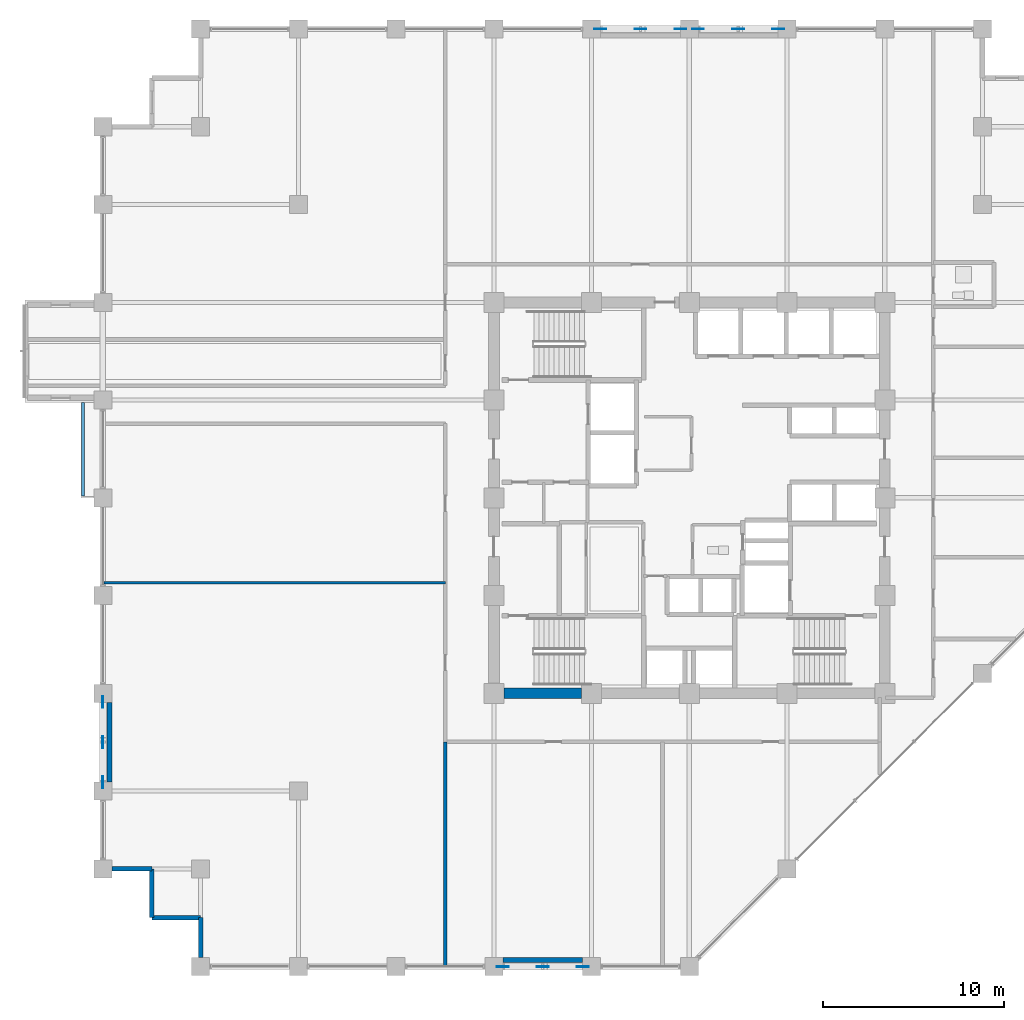
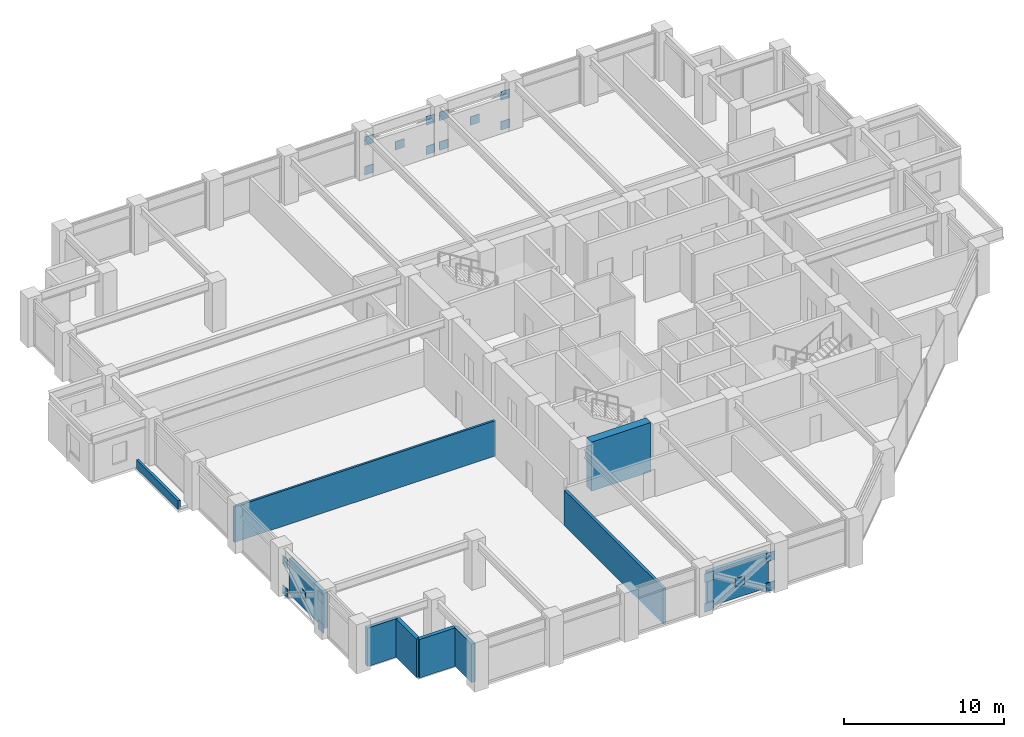
# One storey, part 21 of 29: 20 plates, 10 walls.
"""IFC4 building model written with IfcOpenShell, lengths in metres."""

from ifc_helpers import new_model, si_unit, direction, frame, frame_2d, origin, origin_2d, place, context, subcontext, project, spatial, rectangle, extrude, material, layer, layer_set, type_object, element, save


model = new_model("IFC4")

# Units and contexts
model_context = context("Model", 3, precision=1e-05, world=origin(), true_north=direction((0.0, 1.0)))
body_context = subcontext(model_context, "Body", "Model", "MODEL_VIEW")
ifc_project = project(units=[si_unit("LENGTHUNIT", "METRE"), si_unit("AREAUNIT", "SQUARE_METRE"), si_unit("VOLUMEUNIT", "CUBIC_METRE"), si_unit("PLANEANGLEUNIT", "RADIAN"), si_unit("MASSUNIT", "GRAM", prefix="KILO")], contexts=[model_context])

# Site, building, storey
site_placement = place(None, origin())
site = spatial("IfcSite", under=ifc_project, at=site_placement, CompositionType="ELEMENT")
building_placement = place(site_placement, origin())
building = spatial("IfcBuilding", under=site, at=building_placement, Name="Surkhivell Harbour Commons", CompositionType="ELEMENT")
storey_placement = place(building_placement, frame((0.0, 0.0, 150.75)))
storey = spatial("IfcBuildingStorey", under=building, at=storey_placement, Name="L39", CompositionType="ELEMENT", Elevation=150.75)

# Plates
ifc_material_1 = material(Name="Steel S460", Category="steel")
ifc_layer_1 = layer(ifc_material_1, 0.044921875)
ifc_layer_set_1 = layer_set([ifc_layer_1], Name="Steel S460")
plate_type = type_object("IfcPlateType", Name="PLT-GUS-650", PredefinedType="USERDEFINED", material=ifc_layer_set_1)
for number, where, z_axis, x_axis, name in (
    (1, (-4.9150390625, 25.89990234375, -0.08935546875), (0.0, 0.0, 1.0), (1.0, 0.0, 0.0), "L39 Perimeter Mega-Brace MB- Corner Gusset N-1"),
    (2, (-0.485107421875, 25.89990234375, -0.08935546875), (0.0, 0.0, 1.0), (1.0, 0.0, 0.0), "L39 Perimeter Mega-Brace MB- Corner Gusset N-2"),
    (3, (-4.9150390625, 25.89990234375, 2.170654296875), (0.0, 0.0, 1.0), (1.0, 0.0, 0.0), "L39 Perimeter Mega-Brace MB- Corner Gusset N-3"),
    (4, (-0.485107421875, 25.89990234375, 2.170654296875), (0.0, 0.0, 1.0), (1.0, 0.0, 0.0), "L39 Perimeter Mega-Brace MB- Corner Gusset N-4"),
    (5, (-2.699951171875, 25.89990234375, 1.04052734375), (0.0, 0.0, 1.0), (1.0, 0.0, 0.0), "L39 Perimeter Mega-Brace MB- Central Crossing Gusset N"),
    (6, (0.485107421875, 25.89990234375, -0.08935546875), (0.0, 0.0, 1.0), (1.0, 0.0, 0.0), "L39 Perimeter Mega-Brace MB- Corner Gusset N2-1"),
    (7, (4.9150390625, 25.89990234375, -0.08935546875), (0.0, 0.0, 1.0), (1.0, 0.0, 0.0), "L39 Perimeter Mega-Brace MB- Corner Gusset N2-2"),
    (8, (0.485107421875, 25.89990234375, 2.170654296875), (0.0, 0.0, 1.0), (1.0, 0.0, 0.0), "L39 Perimeter Mega-Brace MB- Corner Gusset N2-3"),
    (9, (4.9150390625, 25.89990234375, 2.170654296875), (0.0, 0.0, 1.0), (1.0, 0.0, 0.0), "L39 Perimeter Mega-Brace MB- Corner Gusset N2-4"),
    (10, (2.699951171875, 25.89990234375, 1.04052734375), (0.0, 0.0, 1.0), (1.0, 0.0, 0.0), "L39 Perimeter Mega-Brace MB- Central Crossing Gusset N2"),
    (11, (-10.31494140625, -25.89990234375, -0.08935546875), (0.0, 0.0, 1.0), (1.0, 0.0, 0.0), "L39 Perimeter Mega-Brace MB- Corner Gusset S-1"),
    (12, (-5.885009765625, -25.89990234375, -0.08935546875), (0.0, 0.0, 1.0), (1.0, 0.0, 0.0), "L39 Perimeter Mega-Brace MB- Corner Gusset S-2"),
    (13, (-10.31494140625, -25.89990234375, 2.170654296875), (0.0, 0.0, 1.0), (1.0, 0.0, 0.0), "L39 Perimeter Mega-Brace MB- Corner Gusset S-3"),
    (14, (-5.885009765625, -25.89990234375, 2.170654296875), (0.0, 0.0, 1.0), (1.0, 0.0, 0.0), "L39 Perimeter Mega-Brace MB- Corner Gusset S-4"),
    (15, (-8.10009765625, -25.89990234375, 1.04052734375), (0.0, 0.0, 1.0), (1.0, 0.0, 0.0), "L39 Perimeter Mega-Brace MB- Central Crossing Gusset S"),
    (16, (-32.39990234375, -15.715087890625, -0.08935546875), (0.0, 0.0, 1.0), (0.0, 1.0, 0.0), "L39 Perimeter Mega-Brace MB- Corner Gusset W-1"),
    (17, (-32.39990234375, -11.284912109375, -0.08935546875), (0.0, 0.0, 1.0), (0.0, 1.0, 0.0), "L39 Perimeter Mega-Brace MB- Corner Gusset W-2"),
    (18, (-32.39990234375, -15.715087890625, 2.170654296875), (0.0, 0.0, 1.0), (0.0, 1.0, 0.0), "L39 Perimeter Mega-Brace MB- Corner Gusset W-3"),
    (19, (-32.39990234375, -11.284912109375, 2.170654296875), (0.0, 0.0, 1.0), (0.0, 1.0, 0.0), "L39 Perimeter Mega-Brace MB- Corner Gusset W-4"),
    (20, (-32.39990234375, -13.5, 1.04052734375), (0.0, 0.0, 1.0), (0.0, 1.0, 0.0), "L39 Perimeter Mega-Brace MB- Central Crossing Gusset W"),
):
    element("IfcPlate", number, at=place(storey_placement, frame(where, z_axis=z_axis, x_axis=x_axis)), inside=storey, type_object=plate_type, Name=name, ObjectType="GUSSET_PLATE", PredefinedType="USERDEFINED", context=body_context, shape_type="SweptSolid", body=[
        extrude(rectangle(XDim=0.64990234375, YDim=0.044921875, at=origin_2d()), origin(), (0.0, 0.0, 1.0), 0.64990234375),
    ])

# Walls
ifc_material_2 = material(Name="Concrete C60/75", Category="concrete")
ifc_layer_2 = layer(ifc_material_2, 0.60009765625)
ifc_layer_set_2 = layer_set([ifc_layer_2], Name="Concrete C60/75")
wall_type_1 = type_object("IfcWallType", Name="WAL-CORE-600", PredefinedType="SHEAR", material=ifc_layer_set_2)
wall_1_placement = place(storey_placement, frame((-10.239990234375, -10.800048828125, 0.0), z_axis=(0.0, 0.0, 1.0), x_axis=(1.0, 0.0, 0.0)))
element("IfcWall", 21, at=wall_1_placement, inside=storey, type_object=wall_type_1, Name="L39 Core Shear Wall South 1", PredefinedType="SHEAR", context=body_context, shape_type="SweptSolid", body=[
    extrude(rectangle(XDim=4.280029296875, YDim=0.60009765625, at=frame_2d((2.14013671875, 0.0))), origin(), (0.0, 0.0, 1.0), 3.75),
])
ifc_material_3 = material(Name="Pale-metal insulated precast concrete C45/55", Category="concrete")
ifc_layer_3 = layer(ifc_material_3, 0.260009765625)
ifc_layer_set_3 = layer_set([ifc_layer_3], Name="Pale-metal insulated precast concrete C45/55")
wall_type_2 = type_object("IfcWallType", Name="WAL-EXT-MTL260", PredefinedType="STANDARD", material=ifc_layer_set_3)
wall_2_placement = place(storey_placement, frame((-10.302001953125, -25.5400390625, 0.0), z_axis=(0.0, 0.0, 1.0), x_axis=(1.0, 0.0, 0.0)))
element("IfcWall", 22, at=wall_2_placement, inside=storey, type_object=wall_type_2, Name="L39 Braced-Bay Insulated Spandrel Backing S", PredefinedType="STANDARD", context=body_context, shape_type="SweptSolid", body=[
    extrude(rectangle(XDim=4.404052734375, YDim=0.260009765625, at=frame_2d((2.2021484375, 0.0))), origin(), (0.0, 0.0, 1.0), 2.698974609375),
])
wall_3_placement = place(storey_placement, frame((-32.0400390625, -15.701904296875, 0.0), z_axis=(0.0, 0.0, 1.0), x_axis=(0.0, 1.0, 0.0)))
element("IfcWall", 23, at=wall_3_placement, inside=storey, type_object=wall_type_2, Name="L39 Braced-Bay Insulated Spandrel Backing W", PredefinedType="STANDARD", context=body_context, shape_type="SweptSolid", body=[
    extrude(rectangle(XDim=4.40380859375, YDim=0.260009765625, at=frame_2d((2.201904296875, 0.0))), origin(), (0.0, 0.0, 1.0), 2.698974609375),
])
wall_4_placement = place(storey_placement, frame((-31.902099609375, -20.5, 0.0), z_axis=(0.0, 0.0, 1.0), x_axis=(1.0, 0.0, 0.0)))
element("IfcWall", 24, at=wall_4_placement, inside=storey, type_object=wall_type_2, Name="L39 Serrated Corner Facade Wall 13", PredefinedType="STANDARD", context=body_context, shape_type="SweptSolid", body=[
    extrude(rectangle(XDim=2.2021484375, YDim=0.260009765625, at=frame_2d((1.10107421875, 0.0))), origin(), (0.0, 0.0, 1.0), 2.93310546875),
])
for number, where, z_axis, x_axis, name in (
    (25, (-29.699951171875, -20.5, 0.0), (0.0, 0.0, 1.0), (0.0, -1.0, 0.0), "L39 Serrated Corner Facade Wall 14"),
    (26, (-29.699951171875, -23.199951171875, 0.0), (0.0, 0.0, 1.0), (1.0, 0.0, 0.0), "L39 Serrated Corner Facade Wall 15"),
):
    element("IfcWall", number, at=place(storey_placement, frame(where, z_axis=z_axis, x_axis=x_axis)), inside=storey, type_object=wall_type_2, Name=name, PredefinedType="STANDARD", context=body_context, shape_type="SweptSolid", body=[
        extrude(rectangle(XDim=2.699951171875, YDim=0.260009765625, at=frame_2d((1.35009765625, 0.0))), origin(), (0.0, 0.0, 1.0), 2.93310546875),
    ])
wall_5_placement = place(storey_placement, frame((-27.0, -23.199951171875, 0.0), z_axis=(0.0, 0.0, 1.0), x_axis=(0.0, -1.0, 0.0)))
element("IfcWall", 27, at=wall_5_placement, inside=storey, type_object=wall_type_2, Name="L39 Serrated Corner Facade Wall 16", PredefinedType="STANDARD", context=body_context, shape_type="SweptSolid", body=[
    extrude(rectangle(XDim=2.2021484375, YDim=0.260009765625, at=frame_2d((1.10107421875, 0.0))), origin(), (0.0, 0.0, 1.0), 2.93310546875),
])
ifc_material_4 = material(Name="Twin-stud acoustic fireboard partition", Category="other")
ifc_layer_4 = layer(ifc_material_4, 0.14990234375)
ifc_layer_set_4 = layer_set([ifc_layer_4], Name="Twin-stud acoustic fireboard partition")
wall_type_3 = type_object("IfcWallType", Name="WAL-INT-150", PredefinedType="PARTITIONING", material=ifc_layer_set_4)
wall_6_placement = place(storey_placement, frame((-32.340087890625, -4.68994140625, 0.0), z_axis=(0.0, 0.0, 1.0), x_axis=(1.0, 0.0, 0.0)))
element("IfcWall", 28, at=wall_6_placement, inside=storey, type_object=wall_type_3, Name="L39 South-West Partition P1", PredefinedType="PARTITIONING", context=body_context, shape_type="SweptSolid", body=[
    extrude(rectangle(XDim=18.860107421875, YDim=0.14990234375, at=frame_2d((9.43017578125, 0.0))), origin(), (0.0, 0.0, 1.0), 2.698974609375),
])
ifc_material_5 = material(Name="Autoclaved aerated concrete blockwork and fire plaster", Category="masonry")
ifc_layer_5 = layer(ifc_material_5, 0.199951171875)
ifc_layer_set_5 = layer_set([ifc_layer_5], Name="Autoclaved aerated concrete blockwork and fire plaster")
wall_type_4 = type_object("IfcWallType", Name="WAL-INT-200", PredefinedType="PARTITIONING", material=ifc_layer_set_5)
wall_7_placement = place(storey_placement, frame((-13.47998046875, -25.840087890625, 0.0), z_axis=(0.0, 0.0, 1.0), x_axis=(0.0, 1.0, 0.0)))
element("IfcWall", 29, at=wall_7_placement, inside=storey, type_object=wall_type_4, Name="L39 South-West Wing Corner Divider", PredefinedType="PARTITIONING", context=body_context, shape_type="SweptSolid", body=[
    extrude(rectangle(XDim=12.360107421875, YDim=0.199951171875, at=frame_2d((6.18017578125, 0.0))), origin(), (0.0, 0.0, 1.0), 2.698974609375),
])
ifc_material_6 = material(Name="Anodised aluminium and precast concrete C40/50", Category="concrete")
ifc_layer_6 = layer(ifc_material_6, 0.18505859375)
ifc_layer_set_6 = layer_set([ifc_layer_6], Name="Anodised aluminium and precast concrete C40/50")
wall_type_5 = type_object("IfcWallType", Name="WAL-PAR-185", PredefinedType="PARAPET", material=ifc_layer_set_6)
wall_8_placement = place(storey_placement, frame((-33.5, 5.280029296875, 0.0), z_axis=(0.0, 0.0, 1.0), x_axis=(0.0, -1.0, 0.0)))
element("IfcWall", 30, at=wall_8_placement, inside=storey, type_object=wall_type_5, Name="L39 Box Roof Coping Parapet 2-1", PredefinedType="PARAPET", context=body_context, shape_type="SweptSolid", body=[
    extrude(rectangle(XDim=5.179931640625, YDim=0.18505859375, at=frame_2d((2.58984375, 0.0))), origin(), (0.0, 0.0, 1.0), 0.64990234375),
])

save(model, "model.ifc")
